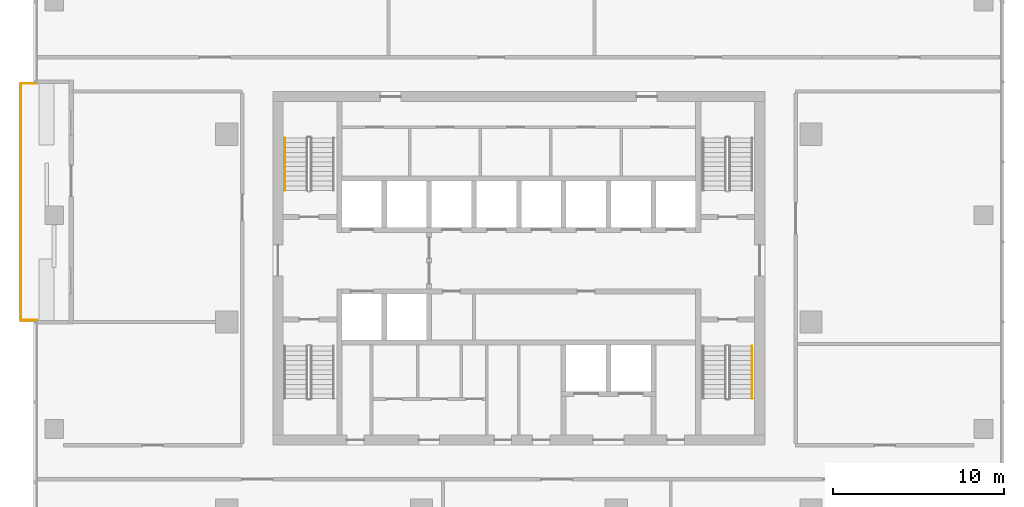
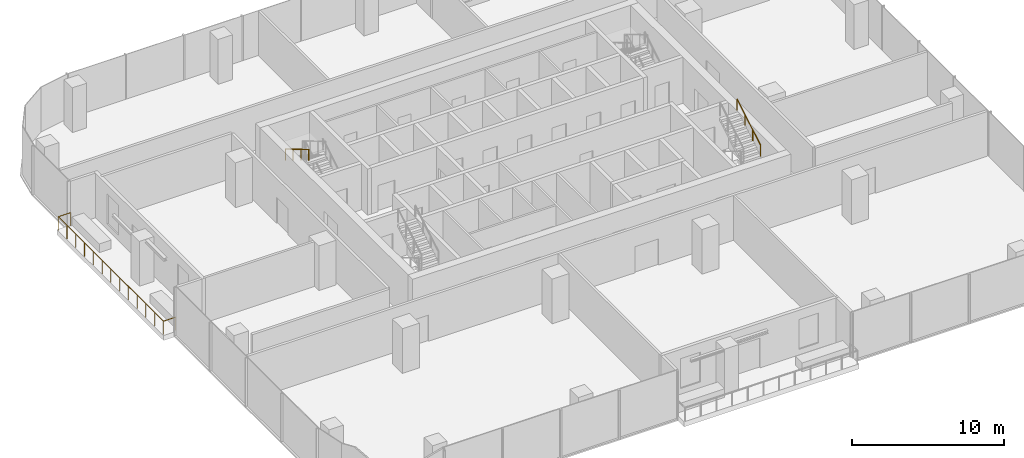
# One storey, part 12 of 14: 3 railings.
"""IFC4 building model written with IfcOpenShell, lengths in metres."""

from ifc_helpers import new_model, si_unit, direction, frame, origin, origin_2d, place, context, subcontext, project, spatial, circle, extrude, material, type_object, element, save


model = new_model("IFC4")

# Units and contexts
model_context = context("Model", 3, precision=1e-05, world=origin(), true_north=direction((0.0, 1.0)))
body_context = subcontext(model_context, "Body", "Model", "MODEL_VIEW")
ifc_project = project(units=[si_unit("LENGTHUNIT", "METRE"), si_unit("AREAUNIT", "SQUARE_METRE"), si_unit("VOLUMEUNIT", "CUBIC_METRE"), si_unit("PLANEANGLEUNIT", "RADIAN"), si_unit("MASSUNIT", "GRAM", prefix="KILO")], contexts=[model_context])

# Site, building, storey
site_placement = place(None, origin())
site = spatial("IfcSite", under=ifc_project, at=site_placement, CompositionType="ELEMENT")
building_placement = place(site_placement, origin())
building = spatial("IfcBuilding", under=site, at=building_placement, Name="Mopane Tessera Tower", CompositionType="ELEMENT")
storey_placement = place(building_placement, frame((0.0, 0.0, 239.0)))
storey = spatial("IfcBuildingStorey", under=building, at=storey_placement, Name="L51", CompositionType="ELEMENT", Elevation=239.0)

# Railings
ifc_material_1 = material(Name="Powder-coated steel balustrade", Category="steel")
railing_type_1 = type_object("IfcRailingType", Name="Escape stair handrail 900 mm", PredefinedType="HANDRAIL", material=ifc_material_1)
railing_1_placement = place(storey_placement, frame((-13.699951171875, 10.780029296875, 2.166748046875)))
element("IfcRailing", 1, at=railing_1_placement, inside=storey, type_object=railing_type_1, Name="L51 ST2 stair handrail 2", PredefinedType="HANDRAIL", context=body_context, shape_type="SweptSolid", body=[
    extrude(circle(Radius=0.02392578125, at=origin_2d()), frame((0.0, 0.0, 0.8759765625), z_axis=(0.0, -0.859308565015, 0.511457515432), x_axis=(1.0, 0.0, 0.0)), (0.0, 0.0, 1.0), 3.58447265625),
    extrude(circle(Radius=0.02099609375, at=origin_2d()), origin(), (0.0, 0.0, 1.0), 0.851806640625),
    extrude(circle(Radius=0.02099609375, at=origin_2d()), frame((0.0, -1.026611328125, 0.611083984375)), (0.0, 0.0, 1.0), 0.851806640625),
    extrude(circle(Radius=0.02099609375, at=origin_2d()), frame((0.0, -2.053466796875, 1.22216796875)), (0.0, 0.0, 1.0), 0.851806640625),
    extrude(circle(Radius=0.02099609375, at=origin_2d()), frame((0.0, -3.080078125, 1.833251953125)), (0.0, 0.0, 1.0), 0.851806640625),
])
railing_2_placement = place(storey_placement, frame((13.64990234375, -4.47998046875, 2.166748046875)))
element("IfcRailing", 2, at=railing_2_placement, inside=storey, type_object=railing_type_1, Name="L51 ST3 stair handrail 2", PredefinedType="HANDRAIL", context=body_context, shape_type="SweptSolid", body=[
    extrude(circle(Radius=0.02392578125, at=origin_2d()), frame((0.0, 0.0, 0.8759765625), z_axis=(0.0, 0.859308565015, 0.511457515432), x_axis=(-1.0, 0.0, 0.0)), (0.0, 0.0, 1.0), 3.58447265625),
    extrude(circle(Radius=0.02099609375, at=origin_2d()), origin(), (0.0, 0.0, 1.0), 0.851806640625),
    extrude(circle(Radius=0.02099609375, at=origin_2d()), frame((0.0, 1.026611328125, 0.611083984375)), (0.0, 0.0, 1.0), 0.851806640625),
    extrude(circle(Radius=0.02099609375, at=origin_2d()), frame((0.0, 2.053466796875, 1.22216796875)), (0.0, 0.0, 1.0), 0.851806640625),
    extrude(circle(Radius=0.02099609375, at=origin_2d()), frame((0.0, 3.080078125, 1.833251953125)), (0.0, 0.0, 1.0), 0.851806640625),
])
ifc_material_2 = material(Name="Stainless steel S316", Category="steel")
railing_type_2 = type_object("IfcRailingType", Name="Terrace guard 1100", PredefinedType="GUARDRAIL", material=ifc_material_2)
railing_3_placement = place(storey_placement, frame((-28.199951171875, 13.96240234375, 0.0)))
element("IfcRailing", 3, at=railing_3_placement, inside=storey, type_object=railing_type_2, Name="e:nw:L51:N3:guard", PredefinedType="GUARDRAIL", context=body_context, shape_type="SweptSolid", body=[
    extrude(circle(Radius=0.02392578125, at=origin_2d()), frame((0.0, 0.0, 1.076171875), z_axis=(-1.0, 0.0, 0.0), x_axis=(0.0, -1.0, 0.0)), (0.0, 0.0, 1.0), 0.949951171875),
    extrude(circle(Radius=0.02392578125, at=origin_2d()), frame((-0.949951171875, 0.0, 1.076171875), z_axis=(0.0, -1.0, 0.0), x_axis=(1.0, 0.0, 0.0)), (0.0, 0.0, 1.0), 13.8623046875),
    extrude(circle(Radius=0.02392578125, at=origin_2d()), frame((-0.949951171875, -13.8623046875, 1.076171875), z_axis=(1.0, 0.0, 0.0), x_axis=(0.0, 1.0, 0.0)), (0.0, 0.0, 1.0), 0.949951171875),
    extrude(circle(Radius=0.02099609375, at=origin_2d()), origin(), (0.0, 0.0, 1.0), 1.052001953125),
    extrude(circle(Radius=0.02099609375, at=origin_2d()), frame((-0.949951171875, 0.0, 0.0)), (0.0, 0.0, 1.0), 1.052001953125),
    extrude(circle(Radius=0.02099609375, at=origin_2d()), frame((-0.949951171875, -1.1552734375, 0.0)), (0.0, 0.0, 1.0), 1.052001953125),
    extrude(circle(Radius=0.02099609375, at=origin_2d()), frame((-0.949951171875, -2.310302734375, 0.0)), (0.0, 0.0, 1.0), 1.052001953125),
    extrude(circle(Radius=0.02099609375, at=origin_2d()), frame((-0.949951171875, -3.465576171875, 0.0)), (0.0, 0.0, 1.0), 1.052001953125),
    extrude(circle(Radius=0.02099609375, at=origin_2d()), frame((-0.949951171875, -4.620849609375, 0.0)), (0.0, 0.0, 1.0), 1.052001953125),
    extrude(circle(Radius=0.02099609375, at=origin_2d()), frame((-0.949951171875, -5.77587890625, 0.0)), (0.0, 0.0, 1.0), 1.052001953125),
    extrude(circle(Radius=0.02099609375, at=origin_2d()), frame((-0.949951171875, -6.93115234375, 0.0)), (0.0, 0.0, 1.0), 1.052001953125),
    extrude(circle(Radius=0.02099609375, at=origin_2d()), frame((-0.949951171875, -8.08642578125, 0.0)), (0.0, 0.0, 1.0), 1.052001953125),
    extrude(circle(Radius=0.02099609375, at=origin_2d()), frame((-0.949951171875, -9.241455078125, 0.0)), (0.0, 0.0, 1.0), 1.052001953125),
    extrude(circle(Radius=0.02099609375, at=origin_2d()), frame((-0.949951171875, -10.396728515625, 0.0)), (0.0, 0.0, 1.0), 1.052001953125),
    extrude(circle(Radius=0.02099609375, at=origin_2d()), frame((-0.949951171875, -11.552001953125, 0.0)), (0.0, 0.0, 1.0), 1.052001953125),
    extrude(circle(Radius=0.02099609375, at=origin_2d()), frame((-0.949951171875, -12.70703125, 0.0)), (0.0, 0.0, 1.0), 1.052001953125),
    extrude(circle(Radius=0.02099609375, at=origin_2d()), frame((-0.949951171875, -13.8623046875, 0.0)), (0.0, 0.0, 1.0), 1.052001953125),
    extrude(circle(Radius=0.02099609375, at=origin_2d()), frame((0.0, -13.8623046875, 0.0)), (0.0, 0.0, 1.0), 1.052001953125),
])

save(model, "model.ifc")
